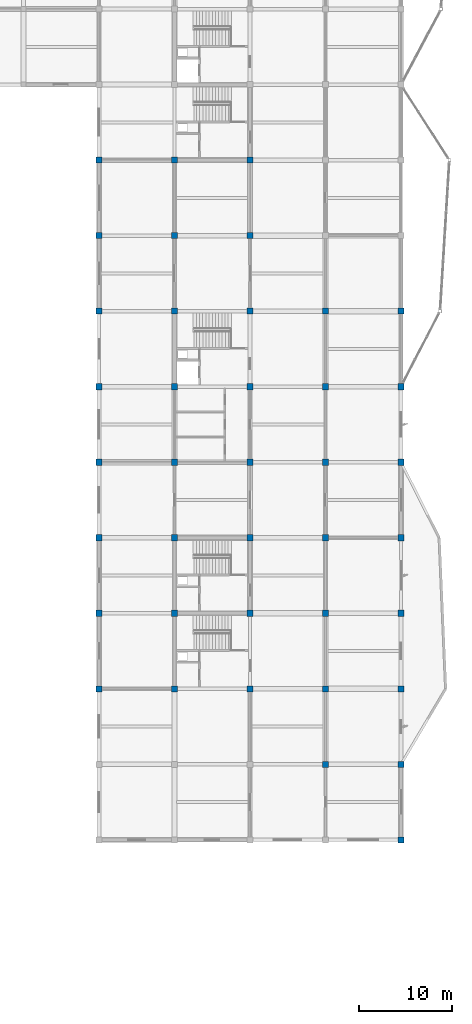
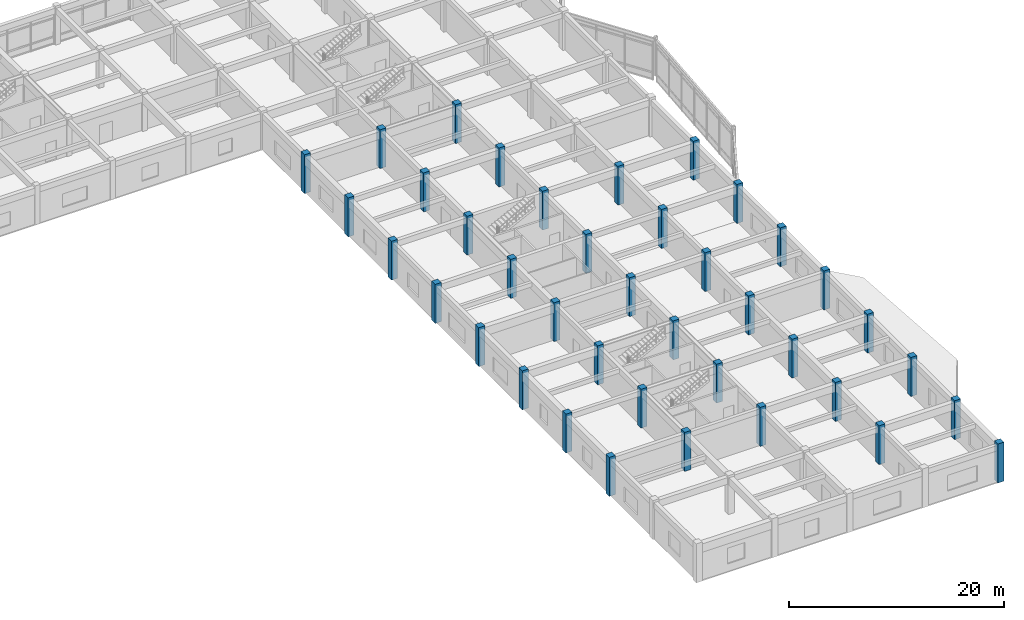
# One storey, part 2 of 42: 39 columns.
"""IFC4 building model written with IfcOpenShell, lengths in metres."""

from ifc_helpers import new_model, si_unit, direction, frame, origin, origin_2d, place, context, subcontext, project, spatial, rectangle, extrude, material, material_profile, profile_set, type_object, element, save


model = new_model("IFC4")

# Units and contexts
model_context = context("Model", 3, precision=1e-05, world=origin(), true_north=direction((0.0, 1.0)))
body_context = subcontext(model_context, "Body", "Model", "MODEL_VIEW")
ifc_project = project(units=[si_unit("LENGTHUNIT", "METRE"), si_unit("AREAUNIT", "SQUARE_METRE"), si_unit("VOLUMEUNIT", "CUBIC_METRE"), si_unit("PLANEANGLEUNIT", "RADIAN"), si_unit("MASSUNIT", "GRAM", prefix="KILO")], contexts=[model_context])

# Site, building, storey
site_placement = place(None, origin())
site = spatial("IfcSite", under=ifc_project, at=site_placement, CompositionType="ELEMENT")
building_placement = place(site_placement, origin())
building = spatial("IfcBuilding", under=site, at=building_placement, Name="Vaudrelin Polytechnic", CompositionType="ELEMENT")
storey_placement = place(building_placement, frame((0.0, 0.0, 18.530029296875)))
storey = spatial("IfcBuildingStorey", under=building, at=storey_placement, Name="L04", CompositionType="ELEMENT", Elevation=18.530029296875)

# Columns
ifc_material = material(Name="Concrete 40 MPa", Category="concrete")
ifc_material_profile = material_profile(ifc_material, rectangle(XDim=0.64990234375, YDim=0.64990234375, at=origin_2d()), Name="RC650x650")
ifc_profile_set = profile_set([ifc_material_profile], Name="Concrete 40 MPa")
column_type = type_object("IfcColumnType", Name="COL-C-RC650", PredefinedType="COLUMN", material=ifc_profile_set)
for number, where, z_axis, x_axis, name in (
    (1, (137.699951171875, 32.39990234375, 0.0), (0.0, 0.0, 1.0), (1.0, 0.0, 0.0), "Column L04 18-5"),
    (2, (137.699951171875, 40.5, 0.0), (0.0, 0.0, 1.0), (1.0, 0.0, 0.0), "Column L04 18-6"),
    (3, (137.699951171875, 48.60009765625, 0.0), (0.0, 0.0, 1.0), (1.0, 0.0, 0.0), "Column L04 18-7"),
    (4, (137.699951171875, 56.699951171875, 0.0), (0.0, 0.0, 1.0), (1.0, 0.0, 0.0), "Column L04 18-8"),
    (5, (137.699951171875, 64.800048828125, 0.0), (0.0, 0.0, 1.0), (1.0, 0.0, 0.0), "Column L04 18-9"),
    (6, (137.699951171875, 72.89990234375, 0.0), (0.0, 0.0, 1.0), (1.0, 0.0, 0.0), "Column L04 18-10"),
    (7, (137.699951171875, 81.0, 0.0), (0.0, 0.0, 1.0), (1.0, 0.0, 0.0), "Column L04 18-11"),
    (8, (137.699951171875, 89.10009765625, 0.0), (0.0, 0.0, 1.0), (1.0, 0.0, 0.0), "Column L04 18-12"),
    (9, (145.800048828125, 32.39990234375, 0.0), (0.0, 0.0, 1.0), (1.0, 0.0, 0.0), "Column L04 19-5"),
    (10, (145.800048828125, 40.5, 0.0), (0.0, 0.0, 1.0), (1.0, 0.0, 0.0), "Column L04 19-6"),
    (11, (145.800048828125, 48.60009765625, 0.0), (0.0, 0.0, 1.0), (1.0, 0.0, 0.0), "Column L04 19-7"),
    (12, (145.800048828125, 56.699951171875, 0.0), (0.0, 0.0, 1.0), (1.0, 0.0, 0.0), "Column L04 19-8"),
    (13, (145.800048828125, 64.800048828125, 0.0), (0.0, 0.0, 1.0), (1.0, 0.0, 0.0), "Column L04 19-9"),
    (14, (145.800048828125, 72.89990234375, 0.0), (0.0, 0.0, 1.0), (1.0, 0.0, 0.0), "Column L04 19-10"),
    (15, (145.800048828125, 81.0, 0.0), (0.0, 0.0, 1.0), (1.0, 0.0, 0.0), "Column L04 19-11"),
    (16, (145.800048828125, 89.10009765625, 0.0), (0.0, 0.0, 1.0), (1.0, 0.0, 0.0), "Column L04 19-12"),
    (17, (153.89990234375, 32.39990234375, 0.0), (0.0, 0.0, 1.0), (1.0, 0.0, 0.0), "Column L04 20-5"),
    (18, (153.89990234375, 40.5, 0.0), (0.0, 0.0, 1.0), (1.0, 0.0, 0.0), "Column L04 20-6"),
    (19, (153.89990234375, 48.60009765625, 0.0), (0.0, 0.0, 1.0), (1.0, 0.0, 0.0), "Column L04 20-7"),
    (20, (153.89990234375, 56.699951171875, 0.0), (0.0, 0.0, 1.0), (1.0, 0.0, 0.0), "Column L04 20-8"),
    (21, (153.89990234375, 64.800048828125, 0.0), (0.0, 0.0, 1.0), (1.0, 0.0, 0.0), "Column L04 20-9"),
    (22, (153.89990234375, 72.89990234375, 0.0), (0.0, 0.0, 1.0), (1.0, 0.0, 0.0), "Column L04 20-10"),
    (23, (153.89990234375, 81.0, 0.0), (0.0, 0.0, 1.0), (1.0, 0.0, 0.0), "Column L04 20-11"),
    (24, (153.89990234375, 89.10009765625, 0.0), (0.0, 0.0, 1.0), (1.0, 0.0, 0.0), "Column L04 20-12"),
    (25, (162.0, 24.300048828125, 0.0), (0.0, 0.0, 1.0), (1.0, 0.0, 0.0), "Column L04 21-4"),
    (26, (162.0, 32.39990234375, 0.0), (0.0, 0.0, 1.0), (1.0, 0.0, 0.0), "Column L04 21-5"),
    (27, (162.0, 40.5, 0.0), (0.0, 0.0, 1.0), (1.0, 0.0, 0.0), "Column L04 21-6"),
    (28, (162.0, 48.60009765625, 0.0), (0.0, 0.0, 1.0), (1.0, 0.0, 0.0), "Column L04 21-7"),
    (29, (162.0, 56.699951171875, 0.0), (0.0, 0.0, 1.0), (1.0, 0.0, 0.0), "Column L04 21-8"),
    (30, (162.0, 64.800048828125, 0.0), (0.0, 0.0, 1.0), (1.0, 0.0, 0.0), "Column L04 21-9"),
    (31, (162.0, 72.89990234375, 0.0), (0.0, 0.0, 1.0), (1.0, 0.0, 0.0), "Column L04 21-10"),
    (32, (170.10009765625, 16.199951171875, 0.0), (0.0, 0.0, 1.0), (1.0, 0.0, 0.0), "Column L04 22-3"),
    (33, (170.10009765625, 24.300048828125, 0.0), (0.0, 0.0, 1.0), (1.0, 0.0, 0.0), "Column L04 22-4"),
    (34, (170.10009765625, 32.39990234375, 0.0), (0.0, 0.0, 1.0), (1.0, 0.0, 0.0), "Column L04 22-5"),
    (35, (170.10009765625, 40.5, 0.0), (0.0, 0.0, 1.0), (1.0, 0.0, 0.0), "Column L04 22-6"),
    (36, (170.10009765625, 48.60009765625, 0.0), (0.0, 0.0, 1.0), (1.0, 0.0, 0.0), "Column L04 22-7"),
    (37, (170.10009765625, 56.699951171875, 0.0), (0.0, 0.0, 1.0), (1.0, 0.0, 0.0), "Column L04 22-8"),
    (38, (170.10009765625, 64.800048828125, 0.0), (0.0, 0.0, 1.0), (1.0, 0.0, 0.0), "Column L04 22-9"),
    (39, (170.10009765625, 72.89990234375, 0.0), (0.0, 0.0, 1.0), (1.0, 0.0, 0.0), "Column L04 22-10"),
):
    element("IfcColumn", number, at=place(storey_placement, frame(where, z_axis=z_axis, x_axis=x_axis)), inside=storey, type_object=column_type, Name=name, PredefinedType="COLUMN", context=body_context, shape_type="SweptSolid", body=[
        extrude(rectangle(XDim=0.64990234375, YDim=0.64990234375, at=origin_2d()), origin(), (0.0, 0.0, 1.0), 4.419921875),
    ])

save(model, "model.ifc")
